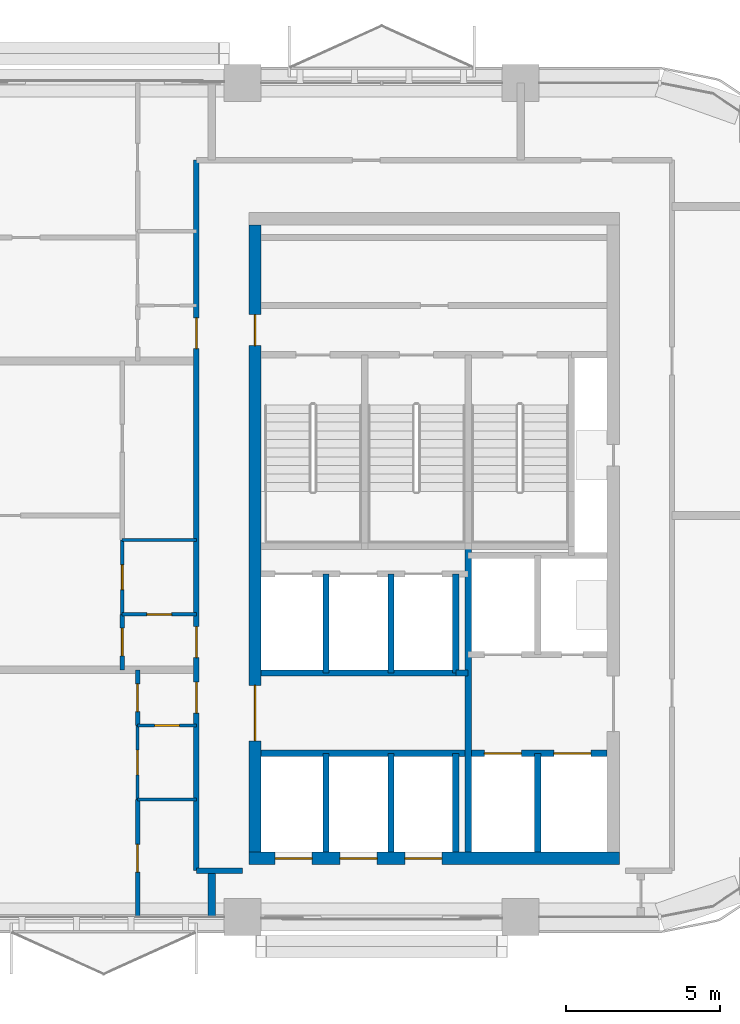
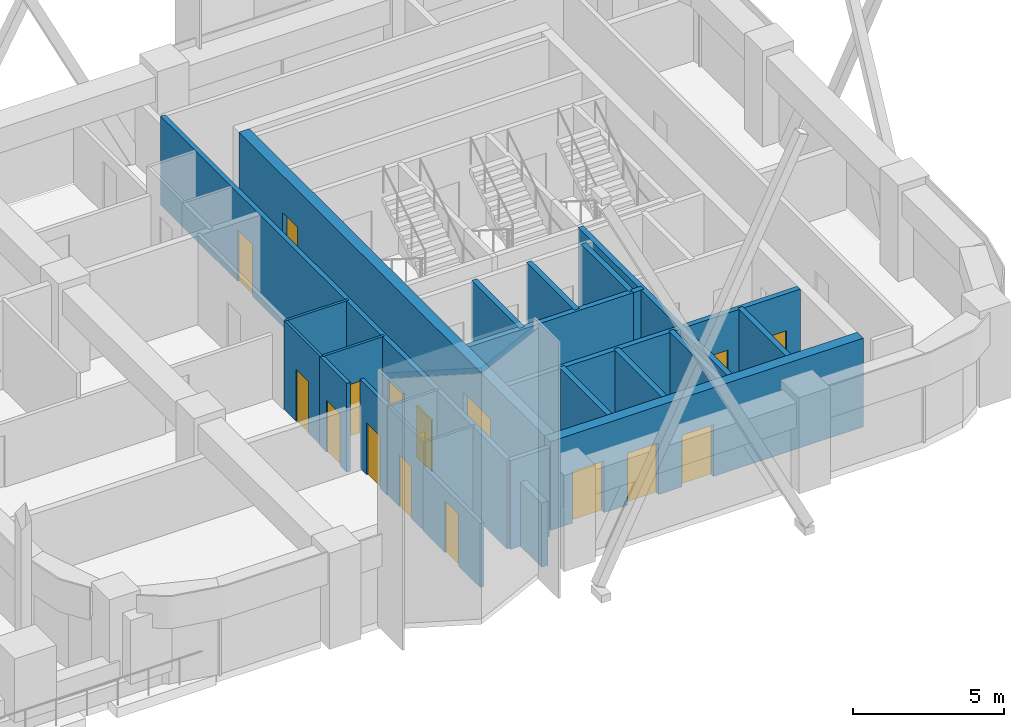
# One storey, part 9 of 13: 25 walls, 17 doors, 17 openings.
"""IFC4 building model written with IfcOpenShell, lengths in metres."""

from ifc_helpers import new_model, si_unit, direction, frame, frame_2d, origin, place, context, subcontext, project, spatial, rectangle, extrude, material, layer, layer_set, type_object, element, fill, save


model = new_model("IFC4")

# Units and contexts
model_context = context("Model", 3, precision=1e-05, world=origin(), true_north=direction((0.0, 1.0)))
body_context = subcontext(model_context, "Body", "Model", "MODEL_VIEW")
ifc_project = project(units=[si_unit("LENGTHUNIT", "METRE"), si_unit("AREAUNIT", "SQUARE_METRE"), si_unit("VOLUMEUNIT", "CUBIC_METRE"), si_unit("PLANEANGLEUNIT", "RADIAN"), si_unit("MASSUNIT", "GRAM", prefix="KILO")], contexts=[model_context])

# Site, building, storey
site_placement = place(None, origin())
site = spatial("IfcSite", under=ifc_project, at=site_placement, CompositionType="ELEMENT")
building_placement = place(site_placement, origin())
building = spatial("IfcBuilding", under=site, at=building_placement, Name="Tessera Arch", CompositionType="ELEMENT")
storey_placement = place(building_placement, frame((0.0, 0.0, 234.5)))
storey = spatial("IfcBuildingStorey", under=building, at=storey_placement, Name="L56", CompositionType="ELEMENT", Elevation=234.5)

# Wall
ifc_material_1 = material(Name="Gypsum board on steel stud", Category="steel")
ifc_layer_1 = layer(ifc_material_1, 0.125)
ifc_layer_set_1 = layer_set([ifc_layer_1], Name="Core partition 125 EI 60")
wall_type_1 = type_object("IfcWallType", Name="Core partition 125 EI 60", PredefinedType="PARTITIONING", material=ifc_layer_set_1)
wall_1_placement = place(storey_placement, frame((42.89990234375, 34.89990234375, 0.0), z_axis=(0.0, 0.0, 1.0), x_axis=(1.0, 0.0, 0.0)))
element("IfcWall", 1, at=wall_1_placement, inside=storey, type_object=wall_type_1, Name="L56 C1 partition wall 18", PredefinedType="PARTITIONING", context=body_context, shape_type="SweptSolid", body=[
    extrude(rectangle(XDim=0.400146484375, YDim=0.199951171875, at=frame_2d((0.2001953125, 0.0))), origin(), (0.0, 0.0, 1.0), 3.60009765625),
])

# Wall, openings, doors
ifc_material_2 = material(Name="Concrete C50/60", Category="concrete")
ifc_layer_2 = layer(ifc_material_2, 0.39990234375)
ifc_layer_set_2 = layer_set([ifc_layer_2], Name="Core shell wall 400 C50-60")
wall_type_2 = type_object("IfcWallType", Name="Core shell wall 400 C50-60", PredefinedType="SHEAR", material=ifc_layer_set_2)
wall_2_placement = place(storey_placement, frame((36.199951171875, 28.89990234375, 0.0), z_axis=(0.0, 0.0, 1.0), x_axis=(1.0, 0.0, 0.0)))
wall_2 = element("IfcWall", 2, at=wall_2_placement, inside=storey, type_object=wall_type_2, Name="L56 C1 core wall S", PredefinedType="SHEAR", context=body_context, shape_type="SweptSolid", body=[
    extrude(rectangle(XDim=12.0, YDim=0.39990234375, at=frame_2d((6.0, 0.0))), origin(), (0.0, 0.0, 1.0), 3.60009765625),
])
opening_1_placement = place(wall_2_placement, frame((0.85009765625, 0.0, 0.0)))
opening_1 = element("IfcOpeningElement", 3, at=opening_1_placement, cuts=wall_2, Name="Opening L56-C01", PredefinedType="OPENING", context=body_context, shape_type="SweptSolid", body=[
    extrude(rectangle(XDim=1.199951171875, YDim=2.10009765625, at=frame_2d((0.60009765625, 1.050048828125))), frame((0.0, 0.2099609375, 0.0), z_axis=(0.0, -1.0, 0.0), x_axis=(1.0, 0.0, 0.0)), (0.0, 0.0, 1.0), 0.419921875),
])
opening_2_placement = place(wall_2_placement, frame((2.949951171875, 0.0, 0.0)))
opening_2 = element("IfcOpeningElement", 4, at=opening_2_placement, cuts=wall_2, Name="Opening L56-C03", PredefinedType="OPENING", context=body_context, shape_type="SweptSolid", body=[
    extrude(rectangle(XDim=1.199951171875, YDim=2.10009765625, at=frame_2d((0.60009765625, 1.050048828125))), frame((0.0, 0.2099609375, 0.0), z_axis=(0.0, -1.0, 0.0), x_axis=(1.0, 0.0, 0.0)), (0.0, 0.0, 1.0), 0.419921875),
])
opening_3_placement = place(wall_2_placement, frame((5.050048828125, 0.0, 0.0)))
opening_3 = element("IfcOpeningElement", 5, at=opening_3_placement, cuts=wall_2, Name="Opening L56-C05", PredefinedType="OPENING", context=body_context, shape_type="SweptSolid", body=[
    extrude(rectangle(XDim=1.199951171875, YDim=2.10009765625, at=frame_2d((0.60009765625, 1.050048828125))), frame((0.0, 0.2099609375, 0.0), z_axis=(0.0, -1.0, 0.0), x_axis=(1.0, 0.0, 0.0)), (0.0, 0.0, 1.0), 0.419921875),
])
ifc_material_3 = material(Name="Stainless steel AISI 304", Category="steel")
door_type_1 = type_object("IfcDoorType", Name="Sliding landing door 1200 x 2100", OperationType="SLIDING_TO_LEFT", PredefinedType="DOOR", material=ifc_material_3)
door_1_placement = place(opening_1_placement, origin())
door_1 = element("IfcDoor", 6, at=door_1_placement, inside=storey, type_object=door_type_1, Name="L56 HR1 lift landing door C01 type LD", OperationType="SLIDING_TO_LEFT", OverallHeight=2.10009765625, OverallWidth=1.199951171875, PredefinedType="DOOR", context=body_context, shape_type="SweptSolid", body=[
    extrude(rectangle(XDim=1.199951171875, YDim=2.10009765625, at=frame_2d((0.60009765625, 1.050048828125))), frame((0.0, 0.02490234375, 0.0), z_axis=(0.0, -1.0, 0.0), x_axis=(1.0, 0.0, 0.0)), (0.0, 0.0, 1.0), 0.050048828125),
])
fill(opening_1, door_1)
door_2_placement = place(opening_2_placement, origin())
door_2 = element("IfcDoor", 7, at=door_2_placement, inside=storey, type_object=door_type_1, Name="L56 HR2 lift landing door C03 type LD", OperationType="SLIDING_TO_LEFT", OverallHeight=2.10009765625, OverallWidth=1.199951171875, PredefinedType="DOOR", context=body_context, shape_type="SweptSolid", body=[
    extrude(rectangle(XDim=1.199951171875, YDim=2.10009765625, at=frame_2d((0.60009765625, 1.050048828125))), frame((0.0, 0.02490234375, 0.0), z_axis=(0.0, -1.0, 0.0), x_axis=(1.0, 0.0, 0.0)), (0.0, 0.0, 1.0), 0.050048828125),
])
fill(opening_2, door_2)
door_3_placement = place(opening_3_placement, origin())
door_3 = element("IfcDoor", 8, at=door_3_placement, inside=storey, type_object=door_type_1, Name="L56 HR3 lift landing door C05 type LD", OperationType="SLIDING_TO_LEFT", OverallHeight=2.10009765625, OverallWidth=1.199951171875, PredefinedType="DOOR", context=body_context, shape_type="SweptSolid", body=[
    extrude(rectangle(XDim=1.199951171875, YDim=2.10009765625, at=frame_2d((0.60009765625, 1.050048828125))), frame((0.0, 0.02490234375, 0.0), z_axis=(0.0, -1.0, 0.0), x_axis=(1.0, 0.0, 0.0)), (0.0, 0.0, 1.0), 0.050048828125),
])
fill(opening_3, door_3)

wall_3_placement = place(storey_placement, frame((36.39990234375, 29.10009765625, 0.0), z_axis=(0.0, 0.0, 1.0), x_axis=(0.0, 1.0, 0.0)))
wall_3 = element("IfcWall", 9, at=wall_3_placement, inside=storey, type_object=wall_type_2, Name="L56 C1 core wall W", PredefinedType="SHEAR", context=body_context, shape_type="SweptSolid", body=[
    extrude(rectangle(XDim=20.2998046875, YDim=0.39990234375, at=frame_2d((10.14990234375, 0.0))), origin(), (0.0, 0.0, 1.0), 3.60009765625),
])
opening_4_placement = place(wall_3_placement, frame((3.60009765625, 0.0, 0.0)))
opening_4 = element("IfcOpeningElement", 10, at=opening_4_placement, cuts=wall_3, Name="Opening L56-C10", PredefinedType="OPENING", context=body_context, shape_type="SweptSolid", body=[
    extrude(rectangle(XDim=1.800048828125, YDim=2.10009765625, at=frame_2d((0.89990234375, 1.050048828125))), frame((0.0, 0.2099609375, 0.0), z_axis=(0.0, -1.0, 0.0), x_axis=(1.0, 0.0, 0.0)), (0.0, 0.0, 1.0), 0.419921875),
])
opening_5_placement = place(wall_3_placement, frame((16.39990234375, 0.0, 0.0)))
opening_5 = element("IfcOpeningElement", 11, at=opening_5_placement, cuts=wall_3, Name="Opening L56-C17", PredefinedType="OPENING", context=body_context, shape_type="SweptSolid", body=[
    extrude(rectangle(XDim=1.0, YDim=2.10009765625, at=frame_2d((0.5, 1.050048828125))), frame((0.0, 0.2099609375, 0.0), z_axis=(0.0, -1.0, 0.0), x_axis=(1.0, 0.0, 0.0)), (0.0, 0.0, 1.0), 0.419921875),
])
ifc_material_4 = material(Name="Steel door leaf", Category="steel")
door_type_2 = type_object("IfcDoorType", Name="Corridor door FD60 1000 x 2100", OperationType="SINGLE_SWING_LEFT", PredefinedType="DOOR", material=ifc_material_4)
door_4_placement = place(opening_5_placement, origin())
door_4 = element("IfcDoor", 12, at=door_4_placement, inside=storey, type_object=door_type_2, Name="L56 C1 door 17 C17 type D12", OperationType="SINGLE_SWING_RIGHT", OverallHeight=2.10009765625, OverallWidth=1.0, PredefinedType="DOOR", context=body_context, shape_type="SweptSolid", body=[
    extrude(rectangle(XDim=1.0, YDim=2.10009765625, at=frame_2d((0.5, 1.050048828125))), frame((0.0, 0.02490234375, 0.0), z_axis=(0.0, -1.0, 0.0), x_axis=(1.0, 0.0, 0.0)), (0.0, 0.0, 1.0), 0.050048828125),
])
fill(opening_5, door_4)
ifc_material_5 = material(Name="Glazed steel door leaf", Category="steel")
door_type_3 = type_object("IfcDoorType", Name="Lobby double door FD30S 1800 x 2100", OperationType="DOUBLE_DOOR_SINGLE_SWING", PredefinedType="DOOR", material=ifc_material_5)
door_5_placement = place(opening_4_placement, origin())
door_5 = element("IfcDoor", 13, at=door_5_placement, inside=storey, type_object=door_type_3, Name="L56 C1 door 10 C10 type D06", OperationType="DOUBLE_DOOR_SINGLE_SWING", OverallHeight=2.10009765625, OverallWidth=1.800048828125, PredefinedType="DOOR", context=body_context, shape_type="SweptSolid", body=[
    extrude(rectangle(XDim=1.800048828125, YDim=2.10009765625, at=frame_2d((0.89990234375, 1.050048828125))), frame((0.0, 0.02490234375, 0.0), z_axis=(0.0, -1.0, 0.0), x_axis=(1.0, 0.0, 0.0)), (0.0, 0.0, 1.0), 0.050048828125),
])
fill(opening_4, door_5)

# Wall
ifc_material_6 = material(Name="Gypsum board on deep steel stud with mineral wool", Category="steel")
ifc_layer_3 = layer(ifc_material_6, 0.175048828125)
ifc_layer_set_3 = layer_set([ifc_layer_3], Name="Corridor wall 175 EI 60")
wall_type_3 = type_object("IfcWallType", Name="Corridor wall 175 EI 60", PredefinedType="PARTITIONING", material=ifc_layer_set_3)
wall_4_placement = place(storey_placement, frame((34.5, 28.5, 0.0), z_axis=(0.0, 0.0, 1.0), x_axis=(1.0, 0.0, 0.0)))
element("IfcWall", 14, at=wall_4_placement, inside=storey, type_object=wall_type_3, Name="L56 partition 1", PredefinedType="PARTITIONING", context=body_context, shape_type="SweptSolid", body=[
    extrude(rectangle(XDim=1.5, YDim=0.175048828125, at=frame_2d((0.75, 0.0))), origin(), (0.0, 0.0, 1.0), 3.60009765625),
])

# Wall, openings, doors
wall_5_placement = place(storey_placement, frame((34.5, 28.5, 0.0), z_axis=(0.0, 0.0, 1.0), x_axis=(0.0, 1.0, 0.0)))
wall_5 = element("IfcWall", 15, at=wall_5_placement, inside=storey, type_object=wall_type_3, Name="L56 partition 4", PredefinedType="PARTITIONING", context=body_context, shape_type="SweptSolid", body=[
    extrude(rectangle(XDim=23.0, YDim=0.175048828125, at=frame_2d((11.5, 0.0))), origin(), (0.0, 0.0, 1.0), 3.60009765625),
])
opening_6_placement = place(wall_5_placement, frame((5.10009765625, 0.0, 0.0)))
opening_6 = element("IfcOpeningElement", 16, at=opening_6_placement, cuts=wall_5, Name="Opening L56-D001", PredefinedType="OPENING", context=body_context, shape_type="SweptSolid", body=[
    extrude(rectangle(XDim=1.0, YDim=2.10009765625, at=frame_2d((0.5, 1.050048828125))), frame((0.0, 0.097412109375, 0.0), z_axis=(0.0, -1.0, 0.0), x_axis=(1.0, 0.0, 0.0)), (0.0, 0.0, 1.0), 0.195068359375),
])
opening_7_placement = place(wall_5_placement, frame((6.89990234375, 0.0, 0.0)))
opening_7 = element("IfcOpeningElement", 17, at=opening_7_placement, cuts=wall_5, Name="Opening L56-D007", PredefinedType="OPENING", context=body_context, shape_type="SweptSolid", body=[
    extrude(rectangle(XDim=1.0, YDim=2.10009765625, at=frame_2d((0.5, 1.050048828125))), frame((0.0, 0.097412109375, 0.0), z_axis=(0.0, -1.0, 0.0), x_axis=(1.0, 0.0, 0.0)), (0.0, 0.0, 1.0), 0.195068359375),
])
opening_8_placement = place(wall_5_placement, frame((16.89990234375, 0.0, 0.0)))
opening_8 = element("IfcOpeningElement", 18, at=opening_8_placement, cuts=wall_5, Name="Opening L56-D015", PredefinedType="OPENING", context=body_context, shape_type="SweptSolid", body=[
    extrude(rectangle(XDim=1.0, YDim=2.10009765625, at=frame_2d((0.5, 1.050048828125))), frame((0.0, 0.097412109375, 0.0), z_axis=(0.0, -1.0, 0.0), x_axis=(1.0, 0.0, 0.0)), (0.0, 0.0, 1.0), 0.195068359375),
])
ifc_material_7 = material(Name="Fire-rated door leaf")
door_type_4 = type_object("IfcDoorType", Name="Entrance door FD30S 1000 x 2100", OperationType="SINGLE_SWING_LEFT", PredefinedType="DOOR", material=ifc_material_7)
door_6_placement = place(opening_6_placement, origin())
door_6 = element("IfcDoor", 19, at=door_6_placement, inside=storey, type_object=door_type_4, Name="L56 door D001 type D03", OperationType="SINGLE_SWING_RIGHT", OverallHeight=2.10009765625, OverallWidth=1.0, PredefinedType="DOOR", context=body_context, shape_type="SweptSolid", body=[
    extrude(rectangle(XDim=1.0, YDim=2.10009765625, at=frame_2d((0.5, 1.050048828125))), frame((0.0, 0.02490234375, 0.0), z_axis=(0.0, -1.0, 0.0), x_axis=(1.0, 0.0, 0.0)), (0.0, 0.0, 1.0), 0.050048828125),
])
fill(opening_6, door_6)
door_7_placement = place(opening_7_placement, origin())
door_7 = element("IfcDoor", 20, at=door_7_placement, inside=storey, type_object=door_type_4, Name="L56 door D007 type D03", OperationType="SINGLE_SWING_RIGHT", OverallHeight=2.10009765625, OverallWidth=1.0, PredefinedType="DOOR", context=body_context, shape_type="SweptSolid", body=[
    extrude(rectangle(XDim=1.0, YDim=2.10009765625, at=frame_2d((0.5, 1.050048828125))), frame((0.0, 0.02490234375, 0.0), z_axis=(0.0, -1.0, 0.0), x_axis=(1.0, 0.0, 0.0)), (0.0, 0.0, 1.0), 0.050048828125),
])
fill(opening_7, door_7)
door_8_placement = place(opening_8_placement, origin())
door_8 = element("IfcDoor", 21, at=door_8_placement, inside=storey, type_object=door_type_4, Name="L56 door D015 type D03", OperationType="SINGLE_SWING_RIGHT", OverallHeight=2.10009765625, OverallWidth=1.0, PredefinedType="DOOR", context=body_context, shape_type="SweptSolid", body=[
    extrude(rectangle(XDim=1.0, YDim=2.10009765625, at=frame_2d((0.5, 1.050048828125))), frame((0.0, 0.02490234375, 0.0), z_axis=(0.0, -1.0, 0.0), x_axis=(1.0, 0.0, 0.0)), (0.0, 0.0, 1.0), 0.050048828125),
])
fill(opening_8, door_8)

# Wall, opening, door
ifc_material_8 = material(Name="Gypsum board on steel stud", Category="steel")
ifc_layer_4 = layer(ifc_material_8, 0.14990234375)
ifc_layer_set_4 = layer_set([ifc_layer_4], Name="Partition 150")
wall_type_4 = type_object("IfcWallType", Name="Partition 150", PredefinedType="PARTITIONING", material=ifc_layer_set_4)
wall_6_placement = place(storey_placement, frame((32.10009765625, 35.0, 0.0), z_axis=(0.0, 0.0, 1.0), x_axis=(0.0, 1.0, 0.0)))
wall_6 = element("IfcWall", 22, at=wall_6_placement, inside=storey, type_object=wall_type_4, Name="L56 partition 10", PredefinedType="PARTITIONING", context=body_context, shape_type="SweptSolid", body=[
    extrude(rectangle(XDim=1.800048828125, YDim=0.14990234375, at=frame_2d((0.89990234375, 0.0))), origin(), (0.0, 0.0, 1.0), 3.60009765625),
])
opening_9_placement = place(wall_6_placement, frame((0.449951171875, 0.0, 0.0)))
opening_9 = element("IfcOpeningElement", 23, at=opening_9_placement, cuts=wall_6, Name="Opening L56-D008", PredefinedType="OPENING", context=body_context, shape_type="SweptSolid", body=[
    extrude(rectangle(XDim=0.89990234375, YDim=2.10009765625, at=frame_2d((0.449951171875, 1.050048828125))), frame((0.0, 0.0849609375, 0.0), z_axis=(0.0, -1.0, 0.0), x_axis=(1.0, 0.0, 0.0)), (0.0, 0.0, 1.0), 0.169921875),
])
ifc_material_9 = material(Name="Timber door leaf", Category="wood")
door_type_5 = type_object("IfcDoorType", Name="Room door 900 x 2100", OperationType="SINGLE_SWING_LEFT", PredefinedType="DOOR", material=ifc_material_9)
door_9_placement = place(opening_9_placement, origin())
door_9 = element("IfcDoor", 24, at=door_9_placement, inside=storey, type_object=door_type_5, Name="L56 door D008 type D01", OperationType="SINGLE_SWING_LEFT", OverallHeight=2.10009765625, OverallWidth=0.89990234375, PredefinedType="DOOR", context=body_context, shape_type="SweptSolid", body=[
    extrude(rectangle(XDim=0.89990234375, YDim=2.10009765625, at=frame_2d((0.449951171875, 1.050048828125))), frame((0.0, 0.02490234375, 0.0), z_axis=(0.0, -1.0, 0.0), x_axis=(1.0, 0.0, 0.0)), (0.0, 0.0, 1.0), 0.050048828125),
])
fill(opening_9, door_9)

wall_7_placement = place(storey_placement, frame((32.60009765625, 27.0, 0.0), z_axis=(0.0, 0.0, 1.0), x_axis=(0.0, 1.0, 0.0)))
wall_7 = element("IfcWall", 25, at=wall_7_placement, inside=storey, type_object=wall_type_4, Name="L56 partition 12", PredefinedType="PARTITIONING", context=body_context, shape_type="SweptSolid", body=[
    extrude(rectangle(XDim=3.800048828125, YDim=0.14990234375, at=frame_2d((1.89990234375, 0.0))), origin(), (0.0, 0.0, 1.0), 2.60009765625),
])
opening_10_placement = place(wall_7_placement, frame((1.449951171875, 0.0, 0.0)))
opening_10 = element("IfcOpeningElement", 26, at=opening_10_placement, cuts=wall_7, Name="Opening L56-D005", PredefinedType="OPENING", context=body_context, shape_type="SweptSolid", body=[
    extrude(rectangle(XDim=0.89990234375, YDim=2.10009765625, at=frame_2d((0.449951171875, 1.050048828125))), frame((0.0, 0.0849609375, 0.0), z_axis=(0.0, -1.0, 0.0), x_axis=(1.0, 0.0, 0.0)), (0.0, 0.0, 1.0), 0.169921875),
])
door_10_placement = place(opening_10_placement, origin())
door_10 = element("IfcDoor", 27, at=door_10_placement, inside=storey, type_object=door_type_5, Name="L56 door D005 type D01", OperationType="SINGLE_SWING_LEFT", OverallHeight=2.10009765625, OverallWidth=0.89990234375, PredefinedType="DOOR", context=body_context, shape_type="SweptSolid", body=[
    extrude(rectangle(XDim=0.89990234375, YDim=2.10009765625, at=frame_2d((0.449951171875, 1.050048828125))), frame((0.0, 0.02490234375, 0.0), z_axis=(0.0, -1.0, 0.0), x_axis=(1.0, 0.0, 0.0)), (0.0, 0.0, 1.0), 0.050048828125),
])
fill(opening_10, door_10)

wall_8_placement = place(storey_placement, frame((32.60009765625, 33.199951171875, 0.0), z_axis=(0.0, 0.0, 1.0), x_axis=(0.0, 1.0, 0.0)))
wall_8 = element("IfcWall", 28, at=wall_8_placement, inside=storey, type_object=wall_type_4, Name="L56 partition 13", PredefinedType="PARTITIONING", context=body_context, shape_type="SweptSolid", body=[
    extrude(rectangle(XDim=1.800048828125, YDim=0.14990234375, at=frame_2d((0.89990234375, 0.0))), origin(), (0.0, 0.0, 1.0), 3.60009765625),
])
opening_11_placement = place(wall_8_placement, frame((0.449951171875, 0.0, 0.0)))
opening_11 = element("IfcOpeningElement", 29, at=opening_11_placement, cuts=wall_8, Name="Opening L56-D002", PredefinedType="OPENING", context=body_context, shape_type="SweptSolid", body=[
    extrude(rectangle(XDim=0.89990234375, YDim=2.10009765625, at=frame_2d((0.449951171875, 1.050048828125))), frame((0.0, 0.0849609375, 0.0), z_axis=(0.0, -1.0, 0.0), x_axis=(1.0, 0.0, 0.0)), (0.0, 0.0, 1.0), 0.169921875),
])
door_11_placement = place(opening_11_placement, origin())
door_11 = element("IfcDoor", 30, at=door_11_placement, inside=storey, type_object=door_type_5, Name="L56 door D002 type D01", OperationType="SINGLE_SWING_LEFT", OverallHeight=2.10009765625, OverallWidth=0.89990234375, PredefinedType="DOOR", context=body_context, shape_type="SweptSolid", body=[
    extrude(rectangle(XDim=0.89990234375, YDim=2.10009765625, at=frame_2d((0.449951171875, 1.050048828125))), frame((0.0, 0.02490234375, 0.0), z_axis=(0.0, -1.0, 0.0), x_axis=(1.0, 0.0, 0.0)), (0.0, 0.0, 1.0), 0.050048828125),
])
fill(opening_11, door_11)

# Walls
ifc_material_10 = material(Name="Double gypsum board on twin steel stud with acoustic mineral wool", Category="steel")
ifc_layer_5 = layer(ifc_material_10, 0.25)
ifc_layer_set_5 = layer_set([ifc_layer_5], Name="Party wall 250 EI 60")
wall_type_5 = type_object("IfcWallType", Name="Party wall 250 EI 60", PredefinedType="PARTITIONING", material=ifc_layer_set_5)
wall_9_placement = place(storey_placement, frame((35.0, 27.0, 0.0), z_axis=(0.0, 0.0, 1.0), x_axis=(0.0, 1.0, 0.0)))
element("IfcWall", 31, at=wall_9_placement, inside=storey, type_object=wall_type_5, Name="L56 partition 20", PredefinedType="PARTITIONING", context=body_context, shape_type="SweptSolid", body=[
    extrude(rectangle(XDim=1.5, YDim=0.25, at=frame_2d((0.75, 0.0))), origin(), (0.0, 0.0, 1.0), 2.60009765625),
])
ifc_material_11 = material(Name="Concrete C40/50", Category="concrete")
ifc_layer_6 = layer(ifc_material_11, 0.199951171875)
ifc_layer_set_6 = layer_set([ifc_layer_6], Name="Shaft wall 200 EI 120")
wall_type_6 = type_object("IfcWallType", Name="Shaft wall 200 EI 120", PredefinedType="SOLIDWALL", material=ifc_layer_set_6)
wall_10_placement = place(storey_placement, frame((38.699951171875, 29.10009765625, 0.0), z_axis=(0.0, 0.0, 1.0), x_axis=(0.0, 1.0, 0.0)))
element("IfcWall", 32, at=wall_10_placement, inside=storey, type_object=wall_type_6, Name="L56 C1 shaft wall 1", PredefinedType="SOLIDWALL", context=body_context, shape_type="SweptSolid", body=[
    extrude(rectangle(XDim=3.199951171875, YDim=0.199951171875, at=frame_2d((1.60009765625, 0.0))), origin(), (0.0, 0.0, 1.0), 3.60009765625),
])
wall_11_placement = place(storey_placement, frame((38.699951171875, 34.89990234375, 0.0), z_axis=(0.0, 0.0, 1.0), x_axis=(0.0, 1.0, 0.0)))
element("IfcWall", 33, at=wall_11_placement, inside=storey, type_object=wall_type_6, Name="L56 C1 shaft wall 2", PredefinedType="SOLIDWALL", context=body_context, shape_type="SweptSolid", body=[
    extrude(rectangle(XDim=3.2001953125, YDim=0.199951171875, at=frame_2d((1.60009765625, 0.0))), origin(), (0.0, 0.0, 1.0), 3.60009765625),
])
wall_12_placement = place(storey_placement, frame((40.800048828125, 29.10009765625, 0.0), z_axis=(0.0, 0.0, 1.0), x_axis=(0.0, 1.0, 0.0)))
element("IfcWall", 34, at=wall_12_placement, inside=storey, type_object=wall_type_6, Name="L56 C1 shaft wall 5", PredefinedType="SOLIDWALL", context=body_context, shape_type="SweptSolid", body=[
    extrude(rectangle(XDim=3.199951171875, YDim=0.199951171875, at=frame_2d((1.60009765625, 0.0))), origin(), (0.0, 0.0, 1.0), 3.60009765625),
])
wall_13_placement = place(storey_placement, frame((40.800048828125, 34.89990234375, 0.0), z_axis=(0.0, 0.0, 1.0), x_axis=(0.0, 1.0, 0.0)))
element("IfcWall", 35, at=wall_13_placement, inside=storey, type_object=wall_type_6, Name="L56 C1 shaft wall 6", PredefinedType="SOLIDWALL", context=body_context, shape_type="SweptSolid", body=[
    extrude(rectangle(XDim=3.2001953125, YDim=0.199951171875, at=frame_2d((1.60009765625, 0.0))), origin(), (0.0, 0.0, 1.0), 3.60009765625),
])
wall_14_placement = place(storey_placement, frame((42.89990234375, 29.10009765625, 0.0), z_axis=(0.0, 0.0, 1.0), x_axis=(0.0, 1.0, 0.0)))
element("IfcWall", 36, at=wall_14_placement, inside=storey, type_object=wall_type_6, Name="L56 C1 shaft wall 7", PredefinedType="SOLIDWALL", context=body_context, shape_type="SweptSolid", body=[
    extrude(rectangle(XDim=3.199951171875, YDim=0.199951171875, at=frame_2d((1.60009765625, 0.0))), origin(), (0.0, 0.0, 1.0), 3.60009765625),
])
wall_15_placement = place(storey_placement, frame((42.89990234375, 34.89990234375, 0.0), z_axis=(0.0, 0.0, 1.0), x_axis=(0.0, 1.0, 0.0)))
element("IfcWall", 37, at=wall_15_placement, inside=storey, type_object=wall_type_6, Name="L56 C1 shaft wall 8", PredefinedType="SOLIDWALL", context=body_context, shape_type="SweptSolid", body=[
    extrude(rectangle(XDim=3.2001953125, YDim=0.199951171875, at=frame_2d((1.60009765625, 0.0))), origin(), (0.0, 0.0, 1.0), 3.60009765625),
])
wall_16_placement = place(storey_placement, frame((43.300048828125, 29.10009765625, 0.0), z_axis=(0.0, 0.0, 1.0), x_axis=(0.0, 1.0, 0.0)))
element("IfcWall", 38, at=wall_16_placement, inside=storey, type_object=wall_type_6, Name="L56 C1 shaft wall 9", PredefinedType="SOLIDWALL", context=body_context, shape_type="SweptSolid", body=[
    extrude(rectangle(XDim=9.89990234375, YDim=0.199951171875, at=frame_2d((4.949951171875, 0.0))), origin(), (0.0, 0.0, 1.0), 3.60009765625),
])
wall_17_placement = place(storey_placement, frame((45.550048828125, 29.10009765625, 0.0), z_axis=(0.0, 0.0, 1.0), x_axis=(0.0, 1.0, 0.0)))
element("IfcWall", 39, at=wall_17_placement, inside=storey, type_object=wall_type_6, Name="L56 C1 shaft wall 12", PredefinedType="SOLIDWALL", context=body_context, shape_type="SweptSolid", body=[
    extrude(rectangle(XDim=3.199951171875, YDim=0.199951171875, at=frame_2d((1.60009765625, 0.0))), origin(), (0.0, 0.0, 1.0), 3.60009765625),
])

# Wall, openings, doors
wall_18_placement = place(storey_placement, frame((36.60009765625, 32.300048828125, 0.0), z_axis=(0.0, 0.0, 1.0), x_axis=(1.0, 0.0, 0.0)))
wall_18 = element("IfcWall", 40, at=wall_18_placement, inside=storey, type_object=wall_type_6, Name="L56 C1 shaft wall 17", PredefinedType="SOLIDWALL", context=body_context, shape_type="SweptSolid", body=[
    extrude(rectangle(XDim=11.199951171875, YDim=0.199951171875, at=frame_2d((5.60009765625, 0.0))), origin(), (0.0, 0.0, 1.0), 3.60009765625),
])
opening_12_placement = place(wall_18_placement, frame((7.22509765625, 0.0, 0.0)))
opening_12 = element("IfcOpeningElement", 41, at=opening_12_placement, cuts=wall_18, Name="Opening L56-C07", PredefinedType="OPENING", context=body_context, shape_type="SweptSolid", body=[
    extrude(rectangle(XDim=1.199951171875, YDim=2.10009765625, at=frame_2d((0.60009765625, 1.050048828125))), frame((0.0, 0.10986328125, 0.0), z_axis=(0.0, -1.0, 0.0), x_axis=(1.0, 0.0, 0.0)), (0.0, 0.0, 1.0), 0.219970703125),
])
opening_13_placement = place(wall_18_placement, frame((9.47509765625, 0.0, 0.0)))
opening_13 = element("IfcOpeningElement", 42, at=opening_13_placement, cuts=wall_18, Name="Opening L56-C08", PredefinedType="OPENING", context=body_context, shape_type="SweptSolid", body=[
    extrude(rectangle(XDim=1.199951171875, YDim=2.10009765625, at=frame_2d((0.60009765625, 1.050048828125))), frame((0.0, 0.10986328125, 0.0), z_axis=(0.0, -1.0, 0.0), x_axis=(1.0, 0.0, 0.0)), (0.0, 0.0, 1.0), 0.219970703125),
])
door_12_placement = place(opening_12_placement, origin())
door_12 = element("IfcDoor", 43, at=door_12_placement, inside=storey, type_object=door_type_1, Name="L56 FF1 lift landing door C07 type LD", OperationType="SLIDING_TO_LEFT", OverallHeight=2.10009765625, OverallWidth=1.199951171875, PredefinedType="DOOR", context=body_context, shape_type="SweptSolid", body=[
    extrude(rectangle(XDim=1.199951171875, YDim=2.10009765625, at=frame_2d((0.60009765625, 1.050048828125))), frame((0.0, 0.02490234375, 0.0), z_axis=(0.0, -1.0, 0.0), x_axis=(1.0, 0.0, 0.0)), (0.0, 0.0, 1.0), 0.050048828125),
])
fill(opening_12, door_12)
door_13_placement = place(opening_13_placement, origin())
door_13 = element("IfcDoor", 44, at=door_13_placement, inside=storey, type_object=door_type_1, Name="L56 FF2 lift landing door C08 type LD", OperationType="SLIDING_TO_LEFT", OverallHeight=2.10009765625, OverallWidth=1.199951171875, PredefinedType="DOOR", context=body_context, shape_type="SweptSolid", body=[
    extrude(rectangle(XDim=1.199951171875, YDim=2.10009765625, at=frame_2d((0.60009765625, 1.050048828125))), frame((0.0, 0.02490234375, 0.0), z_axis=(0.0, -1.0, 0.0), x_axis=(1.0, 0.0, 0.0)), (0.0, 0.0, 1.0), 0.050048828125),
])
fill(opening_13, door_13)

# Walls
wall_19_placement = place(storey_placement, frame((36.60009765625, 34.89990234375, 0.0), z_axis=(0.0, 0.0, 1.0), x_axis=(1.0, 0.0, 0.0)))
element("IfcWall", 45, at=wall_19_placement, inside=storey, type_object=wall_type_6, Name="L56 C1 shaft wall 19", PredefinedType="SOLIDWALL", context=body_context, shape_type="SweptSolid", body=[
    extrude(rectangle(XDim=6.2998046875, YDim=0.199951171875, at=frame_2d((3.14990234375, 0.0))), origin(), (0.0, 0.0, 1.0), 3.60009765625),
])
ifc_material_12 = material(Name="Moisture-resistant board on pre-plumbed steel stud", Category="steel")
ifc_layer_7 = layer(ifc_material_12, 0.10009765625)
ifc_layer_set_7 = layer_set([ifc_layer_7], Name="Wet wall 100")
wall_type_7 = type_object("IfcWallType", Name="Wet wall 100", PredefinedType="PARTITIONING", material=ifc_layer_set_7)
wall_20_placement = place(storey_placement, frame((32.60009765625, 30.800048828125, 0.0), z_axis=(0.0, 0.0, 1.0), x_axis=(1.0, 0.0, 0.0)))
element("IfcWall", 46, at=wall_20_placement, inside=storey, type_object=wall_type_7, Name="L56 partition 24", PredefinedType="PARTITIONING", context=body_context, shape_type="SweptSolid", body=[
    extrude(rectangle(XDim=1.89990234375, YDim=0.10009765625, at=frame_2d((0.949951171875, 0.0))), origin(), (0.0, 0.0, 1.0), 3.60009765625),
])

# Wall, opening, door
wall_21_placement = place(storey_placement, frame((32.60009765625, 33.199951171875, 0.0), z_axis=(0.0, 0.0, 1.0), x_axis=(1.0, 0.0, 0.0)))
wall_21 = element("IfcWall", 47, at=wall_21_placement, inside=storey, type_object=wall_type_7, Name="L56 partition 25", PredefinedType="PARTITIONING", context=body_context, shape_type="SweptSolid", body=[
    extrude(rectangle(XDim=1.89990234375, YDim=0.10009765625, at=frame_2d((0.949951171875, 0.0))), origin(), (0.0, 0.0, 1.0), 3.60009765625),
])
opening_14_placement = place(wall_21_placement, frame((0.550048828125, 0.0, 0.0)))
opening_14 = element("IfcOpeningElement", 48, at=opening_14_placement, cuts=wall_21, Name="Opening L56-D003", PredefinedType="OPENING", context=body_context, shape_type="SweptSolid", body=[
    extrude(rectangle(XDim=0.800048828125, YDim=2.10009765625, at=frame_2d((0.39990234375, 1.050048828125))), frame((0.0, 0.06005859375, 0.0), z_axis=(0.0, -1.0, 0.0), x_axis=(1.0, 0.0, 0.0)), (0.0, 0.0, 1.0), 0.1201171875),
])
ifc_material_13 = material(Name="Timber door leaf", Category="wood")
door_type_6 = type_object("IfcDoorType", Name="En-suite door 800 x 2100", OperationType="SINGLE_SWING_LEFT", PredefinedType="DOOR", material=ifc_material_13)
door_14_placement = place(opening_14_placement, origin())
door_14 = element("IfcDoor", 49, at=door_14_placement, inside=storey, type_object=door_type_6, Name="L56 door D003 type D02", OperationType="SINGLE_SWING_LEFT", OverallHeight=2.10009765625, OverallWidth=0.800048828125, PredefinedType="DOOR", context=body_context, shape_type="SweptSolid", body=[
    extrude(rectangle(XDim=0.800048828125, YDim=2.10009765625, at=frame_2d((0.39990234375, 1.050048828125))), frame((0.0, 0.02490234375, 0.0), z_axis=(0.0, -1.0, 0.0), x_axis=(1.0, 0.0, 0.0)), (0.0, 0.0, 1.0), 0.050048828125),
])
fill(opening_14, door_14)

wall_22_placement = place(storey_placement, frame((32.10009765625, 36.800048828125, 0.0), z_axis=(0.0, 0.0, 1.0), x_axis=(1.0, 0.0, 0.0)))
wall_22 = element("IfcWall", 50, at=wall_22_placement, inside=storey, type_object=wall_type_7, Name="L56 partition 26", PredefinedType="PARTITIONING", context=body_context, shape_type="SweptSolid", body=[
    extrude(rectangle(XDim=2.39990234375, YDim=0.10009765625, at=frame_2d((1.199951171875, 0.0))), origin(), (0.0, 0.0, 1.0), 3.60009765625),
])
opening_15_placement = place(wall_22_placement, frame((0.800048828125, 0.0, 0.0)))
opening_15 = element("IfcOpeningElement", 51, at=opening_15_placement, cuts=wall_22, Name="Opening L56-D009", PredefinedType="OPENING", context=body_context, shape_type="SweptSolid", body=[
    extrude(rectangle(XDim=0.800048828125, YDim=2.10009765625, at=frame_2d((0.39990234375, 1.050048828125))), frame((0.0, 0.06005859375, 0.0), z_axis=(0.0, -1.0, 0.0), x_axis=(1.0, 0.0, 0.0)), (0.0, 0.0, 1.0), 0.1201171875),
])
door_15_placement = place(opening_15_placement, origin())
door_15 = element("IfcDoor", 52, at=door_15_placement, inside=storey, type_object=door_type_6, Name="L56 door D009 type D02", OperationType="SINGLE_SWING_RIGHT", OverallHeight=2.10009765625, OverallWidth=0.800048828125, PredefinedType="DOOR", context=body_context, shape_type="SweptSolid", body=[
    extrude(rectangle(XDim=0.800048828125, YDim=2.10009765625, at=frame_2d((0.39990234375, 1.050048828125))), frame((0.0, 0.02490234375, 0.0), z_axis=(0.0, -1.0, 0.0), x_axis=(1.0, 0.0, 0.0)), (0.0, 0.0, 1.0), 0.050048828125),
])
fill(opening_15, door_15)

# Wall
wall_23_placement = place(storey_placement, frame((32.10009765625, 39.199951171875, 0.0), z_axis=(0.0, 0.0, 1.0), x_axis=(1.0, 0.0, 0.0)))
element("IfcWall", 53, at=wall_23_placement, inside=storey, type_object=wall_type_7, Name="L56 partition 27", PredefinedType="PARTITIONING", context=body_context, shape_type="SweptSolid", body=[
    extrude(rectangle(XDim=2.39990234375, YDim=0.10009765625, at=frame_2d((1.199951171875, 0.0))), origin(), (0.0, 0.0, 1.0), 3.60009765625),
])

# Wall, opening, door
wall_24_placement = place(storey_placement, frame((32.10009765625, 36.800048828125, 0.0), z_axis=(0.0, 0.0, 1.0), x_axis=(0.0, 1.0, 0.0)))
wall_24 = element("IfcWall", 54, at=wall_24_placement, inside=storey, type_object=wall_type_7, Name="L56 partition 30", PredefinedType="PARTITIONING", context=body_context, shape_type="SweptSolid", body=[
    extrude(rectangle(XDim=2.39990234375, YDim=0.10009765625, at=frame_2d((1.199951171875, 0.0))), origin(), (0.0, 0.0, 1.0), 3.60009765625),
])
opening_16_placement = place(wall_24_placement, frame((0.800048828125, 0.0, 0.0)))
opening_16 = element("IfcOpeningElement", 55, at=opening_16_placement, cuts=wall_24, Name="Opening L56-D010", PredefinedType="OPENING", context=body_context, shape_type="SweptSolid", body=[
    extrude(rectangle(XDim=0.800048828125, YDim=2.10009765625, at=frame_2d((0.39990234375, 1.050048828125))), frame((0.0, 0.06005859375, 0.0), z_axis=(0.0, -1.0, 0.0), x_axis=(1.0, 0.0, 0.0)), (0.0, 0.0, 1.0), 0.1201171875),
])
door_16_placement = place(opening_16_placement, origin())
door_16 = element("IfcDoor", 56, at=door_16_placement, inside=storey, type_object=door_type_6, Name="L56 door D010 type D02", OperationType="SINGLE_SWING_RIGHT", OverallHeight=2.10009765625, OverallWidth=0.800048828125, PredefinedType="DOOR", context=body_context, shape_type="SweptSolid", body=[
    extrude(rectangle(XDim=0.800048828125, YDim=2.10009765625, at=frame_2d((0.39990234375, 1.050048828125))), frame((0.0, 0.02490234375, 0.0), z_axis=(0.0, -1.0, 0.0), x_axis=(1.0, 0.0, 0.0)), (0.0, 0.0, 1.0), 0.050048828125),
])
fill(opening_16, door_16)

wall_25_placement = place(storey_placement, frame((32.60009765625, 30.800048828125, 0.0), z_axis=(0.0, 0.0, 1.0), x_axis=(0.0, 1.0, 0.0)))
wall_25 = element("IfcWall", 57, at=wall_25_placement, inside=storey, type_object=wall_type_7, Name="L56 partition 31", PredefinedType="PARTITIONING", context=body_context, shape_type="SweptSolid", body=[
    extrude(rectangle(XDim=2.39990234375, YDim=0.10009765625, at=frame_2d((1.199951171875, 0.0))), origin(), (0.0, 0.0, 1.0), 3.60009765625),
])
opening_17_placement = place(wall_25_placement, frame((0.800048828125, 0.0, 0.0)))
opening_17 = element("IfcOpeningElement", 58, at=opening_17_placement, cuts=wall_25, Name="Opening L56-D004", PredefinedType="OPENING", context=body_context, shape_type="SweptSolid", body=[
    extrude(rectangle(XDim=0.800048828125, YDim=2.10009765625, at=frame_2d((0.39990234375, 1.050048828125))), frame((0.0, 0.06005859375, 0.0), z_axis=(0.0, -1.0, 0.0), x_axis=(1.0, 0.0, 0.0)), (0.0, 0.0, 1.0), 0.1201171875),
])
door_17_placement = place(opening_17_placement, origin())
door_17 = element("IfcDoor", 59, at=door_17_placement, inside=storey, type_object=door_type_6, Name="L56 door D004 type D02", OperationType="SINGLE_SWING_RIGHT", OverallHeight=2.10009765625, OverallWidth=0.800048828125, PredefinedType="DOOR", context=body_context, shape_type="SweptSolid", body=[
    extrude(rectangle(XDim=0.800048828125, YDim=2.10009765625, at=frame_2d((0.39990234375, 1.050048828125))), frame((0.0, 0.02490234375, 0.0), z_axis=(0.0, -1.0, 0.0), x_axis=(1.0, 0.0, 0.0)), (0.0, 0.0, 1.0), 0.050048828125),
])
fill(opening_17, door_17)

save(model, "model.ifc")
